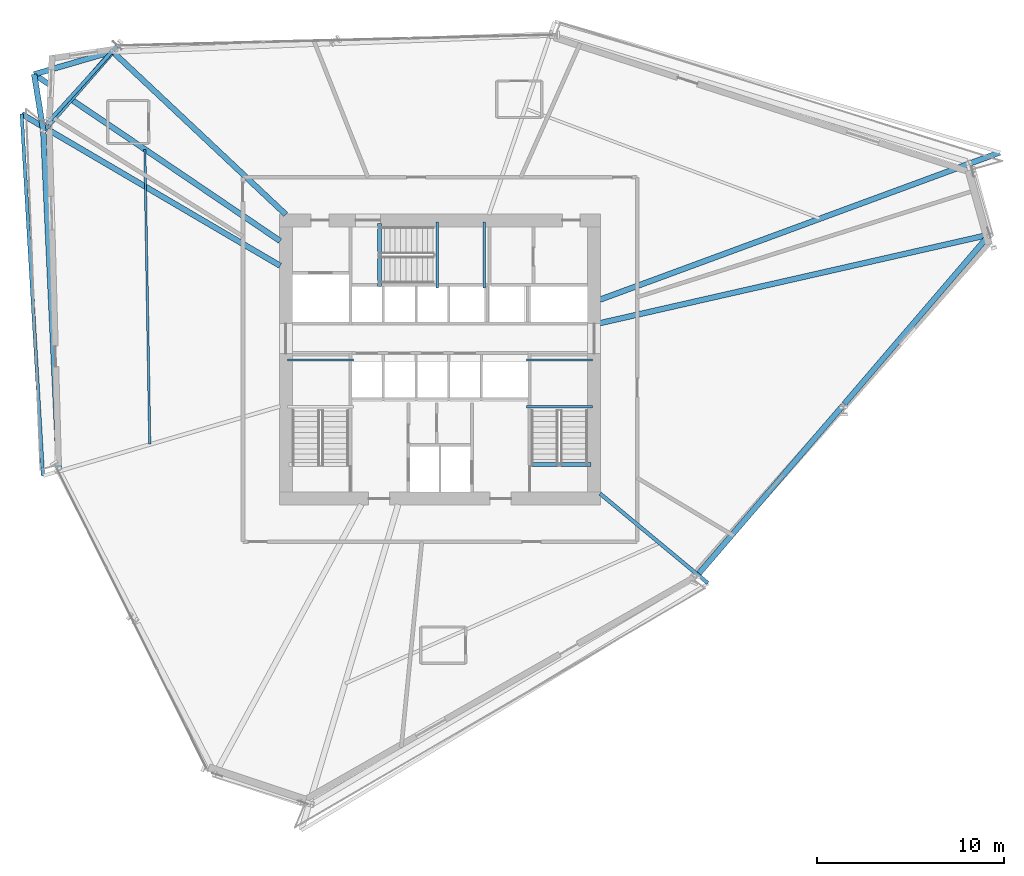
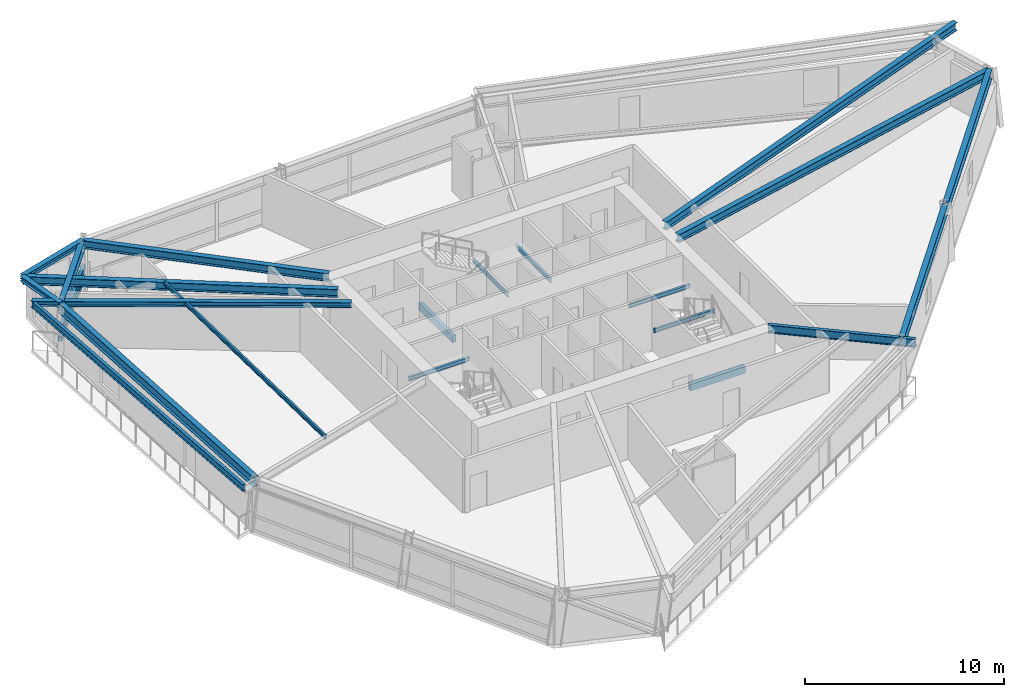
# One storey, part 5 of 20: 21 beams, 2 members.
"""IFC4 building model written with IfcOpenShell, lengths in metres."""

import ifcopenshell
import ifcopenshell.guid

model = None  # the IFC model being written
_history = None  # IfcOwnerHistory: only IFC2X3 demands one
_inside = {}  # id of a spatial element -> (the spatial element, [elements in it])
_under = {}  # id of a project, library or spatial element -> (it, [spatial elements below it])
_declared = {}  # id of a project -> (the project, [libraries it declares])
_typed = {}  # id of a type object -> (the type object, [elements of that type])
_made_of = {}  # id of a material, layer set ... -> (it, [elements and type objects made of it])


def new_model(schema):
    """Start an empty IFC model of exactly this schema.

    Asked for "IFC4X3", IfcOpenShell would pick the latest addendum, in which some entities
    have other attributes; the version numbers below select the first issue.
    IFC2X3 requires an IfcOwnerHistory on every rooted entity: one is made here for all.
    """
    global model, _history
    if schema == "IFC4X3":
        model = ifcopenshell.file(schema_version=(4, 3, 0, 0))
    else:
        model = ifcopenshell.file(schema=schema)
    _inside.clear()
    _under.clear()
    _declared.clear()
    _typed.clear()
    _made_of.clear()
    _history = None
    if model.schema == "IFC2X3":
        org = make("IfcOrganization", Name="unknown")
        user = make(
            "IfcPersonAndOrganization",
            ThePerson=make("IfcPerson", FamilyName="unknown"),
            TheOrganization=org,
        )
        app = make(
            "IfcApplication",
            ApplicationDeveloper=org,
            Version="unknown",
            ApplicationFullName="unknown",
            ApplicationIdentifier="unknown",
        )
        _history = make(
            "IfcOwnerHistory",
            OwningUser=user,
            OwningApplication=app,
            ChangeAction="ADDED",
            CreationDate=0,
        )
    return model


def make(cls, **values):
    """One entity of the class cls with the attributes given. An attribute that is None is left unset."""
    return model.create_entity(
        cls, **{name: value for name, value in values.items() if value is not None}
    )


def rooted(cls, **values):
    """An entity with a GlobalId (a new one), such as an element, a storey or a relation."""
    return make(cls, GlobalId=ifcopenshell.guid.new(), OwnerHistory=_history, **values)


def si_unit(unit_type, name, prefix=None):
    """IfcSIUnit, for example si_unit("LENGTHUNIT", "METRE", prefix="MILLI")."""
    return make("IfcSIUnit", UnitType=unit_type, Prefix=prefix, Name=name)


def assignment(units):
    """IfcUnitAssignment: the units of a project."""
    return None if units is None else make("IfcUnitAssignment", Units=units)


def point(xyz):
    """IfcCartesianPoint."""
    return None if xyz is None else make("IfcCartesianPoint", Coordinates=xyz)


def direction(xyz):
    """IfcDirection."""
    return None if xyz is None else make("IfcDirection", DirectionRatios=xyz)


def frame(location, z_axis=None, x_axis=None):
    """IfcAxis2Placement3D, a coordinate frame: its origin and axes. An axis left out is left unset."""
    return make(
        "IfcAxis2Placement3D",
        Location=point(location),
        Axis=direction(z_axis),
        RefDirection=direction(x_axis),
    )


def frame_2d(location, x_axis=None):
    """IfcAxis2Placement2D, a coordinate frame in the plane: its origin and x axis."""
    return make(
        "IfcAxis2Placement2D", Location=point(location), RefDirection=direction(x_axis)
    )


def origin():
    """The frame at (0, 0, 0) with its axes left unset."""
    return frame((0.0, 0.0, 0.0))


def origin_2d():
    """The frame at (0, 0) in the plane with its x axis left unset."""
    return frame_2d((0.0, 0.0))


def place(relative_to, where):
    """IfcLocalPlacement: puts the frame where relative to a parent placement (None: the world)."""
    return make(
        "IfcLocalPlacement", PlacementRelTo=relative_to, RelativePlacement=where
    )


def context(
    kind, dimensions, precision=None, world=None, true_north=None, identifier=None
):
    """IfcGeometricRepresentationContext, for example the 3D "Model" context."""
    return make(
        "IfcGeometricRepresentationContext",
        ContextIdentifier=identifier,
        ContextType=kind,
        CoordinateSpaceDimension=dimensions,
        Precision=precision,
        WorldCoordinateSystem=world,
        TrueNorth=true_north,
    )


def subcontext(parent, identifier, kind, view, scale=None):
    """IfcGeometricRepresentationSubContext, for example "Body" below "Model"."""
    return make(
        "IfcGeometricRepresentationSubContext",
        ContextIdentifier=identifier,
        ContextType=kind,
        ParentContext=parent,
        TargetScale=scale,
        TargetView=view,
    )


def project(units=None, contexts=None):
    """IfcProject with its units and contexts."""
    return rooted(
        "IfcProject",
        Name="project",
        RepresentationContexts=contexts,
        UnitsInContext=assignment(units),
    )


def spatial(cls, under=None, at=None, **own):
    """A site, building, storey or space (cls), placed at a placement, below another one or the project."""
    s = rooted(cls, ObjectPlacement=at, **own)
    if under is not None:
        _under.setdefault(under.id(), (under, []))[1].append(s)
    return s


def profile(cls, at=None, kind="AREA", **sizes):
    """A parametric profile (cls). Its sizes go by their IFC names, for example OverallWidth=200.0."""
    return make(cls, ProfileType=kind, Position=at, **sizes)


def rectangle(**sizes):
    """IfcRectangleProfileDef."""
    return profile("IfcRectangleProfileDef", **sizes)


def hollow_rectangle(**sizes):
    """IfcRectangleHollowProfileDef."""
    return profile("IfcRectangleHollowProfileDef", **sizes)


def i_section(**sizes):
    """IfcIShapeProfileDef."""
    return profile("IfcIShapeProfileDef", **sizes)


def extrude(swept, where, along, depth):
    """IfcExtrudedAreaSolid: the profile swept, set in the frame where, extruded along a direction by depth."""
    return make(
        "IfcExtrudedAreaSolid",
        SweptArea=swept,
        Position=where,
        ExtrudedDirection=direction(along),
        Depth=depth,
    )


def shape(context_of_items, identifier, shape_type, items):
    """IfcShapeRepresentation: the items that make up one representation, for example the "Body"."""
    return make(
        "IfcShapeRepresentation",
        ContextOfItems=context_of_items,
        RepresentationIdentifier=identifier,
        RepresentationType=shape_type,
        Items=items,
    )


def source(mapping_origin, context_of_items, identifier, shape_type, items):
    """IfcRepresentationMap: a shape defined once, which mapped items show again and again."""
    return make(
        "IfcRepresentationMap",
        MappingOrigin=mapping_origin,
        MappedRepresentation=shape(context_of_items, identifier, shape_type, items),
    )


def transform(
    local_origin,
    x_axis=None,
    y_axis=None,
    z_axis=None,
    scale=None,
    scale2=None,
    scale3=None,
    uniform=True,
):
    """IfcCartesianTransformationOperator3D, or its non-uniform kind. x_axis, y_axis, z_axis: its Axis1, 2, 3."""
    if uniform:
        return make(
            "IfcCartesianTransformationOperator3D",
            Axis1=direction(x_axis),
            Axis2=direction(y_axis),
            LocalOrigin=point(local_origin),
            Scale=scale,
            Axis3=direction(z_axis),
        )
    return make(
        "IfcCartesianTransformationOperator3DnonUniform",
        Axis1=direction(x_axis),
        Axis2=direction(y_axis),
        LocalOrigin=point(local_origin),
        Scale=scale,
        Axis3=direction(z_axis),
        Scale2=scale2,
        Scale3=scale3,
    )


def mapped(mapping_source, mapping_target):
    """IfcMappedItem: shows the shape of a source again, moved by a transform."""
    return make(
        "IfcMappedItem", MappingSource=mapping_source, MappingTarget=mapping_target
    )


def material(Name=None, Category=None):
    """IfcMaterial."""
    return make("IfcMaterial", Name=Name, Category=Category)


def material_profile(
    of_material, cross_section, Name=None, Category=None, Priority=None
):
    """IfcMaterialProfile: a cross section and its material."""
    return make(
        "IfcMaterialProfile",
        Name=Name,
        Material=of_material,
        Profile=cross_section,
        Priority=Priority,
        Category=Category,
    )


def profile_set(profiles, Name=None, composite=None):
    """IfcMaterialProfileSet."""
    return make(
        "IfcMaterialProfileSet",
        Name=Name,
        MaterialProfiles=profiles,
        CompositeProfile=composite,
    )


def made_of(thing, what):
    """Note that an element or type object is made of a material, layer set ...; save() writes the relation."""
    if what is not None:
        _made_of.setdefault(what.id(), (what, []))[1].append(thing)
    return thing


def type_object(cls, material=None, **own):
    """A type object (cls), such as IfcWallType, which elements share."""
    return made_of(rooted(cls, **own), material)


def element(
    cls,
    number,
    at=None,
    inside=None,
    cuts=None,
    type_object=None,
    material=None,
    context=None,
    identifier="Body",
    shape_type=None,
    held_by="IfcProductDefinitionShape",
    body=None,
    shapes=None,
    **own,
):
    """One element of the class cls, such as IfcWall. Its Tag is "e" and its number.

    at: its placement. inside: the storey or other place that contains it. cuts: it is an
    opening in that element (IfcRelVoidsElement). A single representation is given by context,
    identifier, shape_type and body (its items); several are given by shapes. held_by: the class
    of the entity that holds the representations. save() writes the other relations.
    """
    e = rooted(cls, Tag="e%d" % number, ObjectPlacement=at, **own)
    if body is not None:
        shapes = [shape(context, identifier, shape_type, body)]
    if shapes is not None:
        e.Representation = make(held_by, Representations=shapes)
    if inside is not None:
        _inside.setdefault(inside.id(), (inside, []))[1].append(e)
    if cuts is not None:
        rooted(
            "IfcRelVoidsElement", RelatingBuildingElement=cuts, RelatedOpeningElement=e
        )
    if type_object is not None:
        _typed.setdefault(type_object.id(), (type_object, []))[1].append(e)
    return made_of(e, material)


def aggregate(whole, parts):
    """IfcRelAggregates: a whole, such as a stair, and the parts it consists of."""
    return rooted("IfcRelAggregates", RelatingObject=whole, RelatedObjects=parts)


def save(model, path):
    """Write the relations noted so far, then the file.

    IfcRelAggregates (storeys below a building ...), IfcRelContainedInSpatialStructure (elements
    in a storey), IfcRelDefinesByType, IfcRelAssociatesMaterial and IfcRelDeclares: one each for
    every whole, place, type object, material and project.
    """
    for whole, parts in _under.values():
        aggregate(whole, parts)
    for where, things in _inside.values():
        rooted(
            "IfcRelContainedInSpatialStructure",
            RelatedElements=things,
            RelatingStructure=where,
        )
    for kind, things in _typed.values():
        rooted("IfcRelDefinesByType", RelatedObjects=things, RelatingType=kind)
    for what, things in _made_of.values():
        rooted("IfcRelAssociatesMaterial", RelatedObjects=things, RelatingMaterial=what)
    for by, libraries in _declared.values():
        rooted("IfcRelDeclares", RelatingContext=by, RelatedDefinitions=libraries)
    model.write(path)


model = new_model("IFC4")

# Units and contexts
model_context = context("Model", 3, precision=1e-05, world=origin(), true_north=direction((0.0, 1.0)))
body_context = subcontext(model_context, "Body", "Model", "MODEL_VIEW")
ifc_project = project(units=[si_unit("LENGTHUNIT", "METRE"), si_unit("AREAUNIT", "SQUARE_METRE"), si_unit("VOLUMEUNIT", "CUBIC_METRE"), si_unit("PLANEANGLEUNIT", "RADIAN"), si_unit("MASSUNIT", "GRAM", prefix="KILO")], contexts=[model_context])

# Site, building, storey
site_placement = place(None, origin())
site = spatial("IfcSite", under=ifc_project, at=site_placement, CompositionType="ELEMENT")
building_placement = place(site_placement, origin())
building = spatial("IfcBuilding", under=site, at=building_placement, Name="Olszyna Solenne Hotel", CompositionType="ELEMENT")
storey_placement = place(building_placement, frame((0.0, 0.0, 98.60009765625)))
storey = spatial("IfcBuildingStorey", under=building, at=storey_placement, Name="L25", CompositionType="ELEMENT", Elevation=98.60009765625)

# Beams
ifc_material_1 = material(Name="Steel S355J2", Category="steel")
ifc_material_profile_1 = material_profile(ifc_material_1, i_section(OverallWidth=0.300048828125, OverallDepth=0.60009765625, WebThickness=0.015380859375, FlangeThickness=0.030029296875, at=origin_2d()), Name="HEB 600", Category="load-bearing")
ifc_profile_set_1 = profile_set([ifc_material_profile_1], Name="Steel S355J2")
beam_type_1 = type_object("IfcBeamType", Name="BM-S2", PredefinedType="BEAM", material=ifc_profile_set_1)
shared_shape_1 = source(origin(), body_context, "Body", "SweptSolid", [
    extrude(i_section(OverallWidth=0.300048828125, OverallDepth=0.60009765625, WebThickness=0.015380859375, FlangeThickness=0.030029296875, at=origin_2d()), origin(), (0.0, 0.0, 1.0), 5.502685546875),
])
beam_1_placement = place(storey_placement, frame((20.427978515625, 43.038818359375, 3.0), z_axis=(-0.658630240159, -0.752466747935, 0.0), x_axis=(0.752466747935, -0.658630240159, 0.0)))
element("IfcBeam", 1, at=beam_1_placement, inside=storey, type_object=beam_type_1, Name="Perimeter spandrel beam BM-S2 B-L25-0754", PredefinedType="BEAM", context=body_context, shape_type="MappedRepresentation", body=[
    mapped(shared_shape_1, transform((0.0, 0.0, 0.0), x_axis=(1.0, 0.0, 0.0), y_axis=(0.0, 1.0, 0.0), z_axis=(0.0, 0.0, 1.0), scale=1.0)),
])
shared_shape_2 = source(origin(), body_context, "Body", "SweptSolid", [
    extrude(i_section(OverallWidth=0.300048828125, OverallDepth=0.60009765625, WebThickness=0.015380859375, FlangeThickness=0.030029296875, at=origin_2d()), origin(), (0.0, 0.0, 1.0), 18.123046875),
])
beam_2_placement = place(storey_placement, frame((16.766845703125, 38.793212890625, 3.0), z_axis=(0.045950279908, -0.998943728033, 0.0), x_axis=(0.998943728033, 0.045950279908, 0.0)))
element("IfcBeam", 2, at=beam_2_placement, inside=storey, type_object=beam_type_1, Name="Perimeter spandrel beam BM-S2 B-L25-0755", PredefinedType="BEAM", context=body_context, shape_type="MappedRepresentation", body=[
    mapped(shared_shape_2, transform((0.0, 0.0, 0.0), x_axis=(1.0, 0.0, 0.0), y_axis=(0.0, 1.0, 0.0), z_axis=(0.0, 0.0, 1.0), scale=1.0)),
])
shared_shape_3 = source(origin(), body_context, "Body", "SweptSolid", [
    extrude(i_section(OverallWidth=0.300048828125, OverallDepth=0.60009765625, WebThickness=0.015380859375, FlangeThickness=0.030029296875, at=origin_2d()), origin(), (0.0, 0.0, 1.0), 11.88916015625),
])
for number, where, z_axis, x_axis, name in (
    (3, (51.812255859375, 15.101806640625, 3.0), (0.651112622029, 0.75898112851, 0.0), (-0.75898112851, 0.651112622029, 0.0), "Perimeter spandrel beam BM-S2 B-L25-0760"),
    (4, (59.631591796875, 24.216552734375, 3.0), (0.651112622029, 0.75898112851, 0.0), (-0.75898112851, 0.651112622029, 0.0), "Perimeter spandrel beam BM-S2 B-L25-0761"),
):
    element("IfcBeam", number, at=place(storey_placement, frame(where, z_axis=z_axis, x_axis=x_axis)), inside=storey, type_object=beam_type_1, Name=name, PredefinedType="BEAM", context=body_context, shape_type="MappedRepresentation", body=[
        mapped(shared_shape_3, transform((0.0, 0.0, 0.0), x_axis=(1.0, 0.0, 0.0), y_axis=(0.0, 1.0, 0.0), z_axis=(0.0, 0.0, 1.0), scale=1.0)),
    ])
ifc_material_profile_2 = material_profile(ifc_material_1, i_section(OverallWidth=0.300048828125, OverallDepth=0.489990234375, WebThickness=0.011962890625, FlangeThickness=0.02294921875, at=origin_2d()), Name="HEA 500", Category="load-bearing")
ifc_profile_set_2 = profile_set([ifc_material_profile_2], Name="Steel S355J2")
beam_type_2 = type_object("IfcBeamType", Name="BM-G1", PredefinedType="BEAM", material=ifc_profile_set_2)
shared_shape_4 = source(origin(), body_context, "Body", "SweptSolid", [
    extrude(i_section(OverallWidth=0.300048828125, OverallDepth=0.489990234375, WebThickness=0.011962890625, FlangeThickness=0.02294921875, at=origin_2d()), origin(), (0.0, 0.0, 1.0), 21.332763671875),
])
beam_3_placement = place(storey_placement, frame((67.353271484375, 33.2724609375, 3.054931640625), z_axis=(-0.975122399582, -0.221667105892, 0.0), x_axis=(0.221667105892, -0.975122399582, 0.0)))
element("IfcBeam", 5, at=beam_3_placement, inside=storey, type_object=beam_type_2, Name="Radial floor girder BM-G1 B-L25-0762", PredefinedType="BEAM", context=body_context, shape_type="MappedRepresentation", body=[
    mapped(shared_shape_4, transform((0.0, 0.0, 0.0), x_axis=(1.0, 0.0, 0.0), y_axis=(0.0, 1.0, 0.0), z_axis=(0.0, 0.0, 1.0), scale=1.0)),
])
shared_shape_5 = source(origin(), body_context, "Body", "SweptSolid", [
    extrude(i_section(OverallWidth=0.300048828125, OverallDepth=0.489990234375, WebThickness=0.011962890625, FlangeThickness=0.02294921875, at=origin_2d()), origin(), (0.0, 0.0, 1.0), 22.808837890625),
])
beam_4_placement = place(storey_placement, frame((67.95751953125, 37.68115234375, 3.054931640625), z_axis=(-0.938416742355, -0.345505452442, 0.0), x_axis=(0.345505452442, -0.938416742355, 0.0)))
element("IfcBeam", 6, at=beam_4_placement, inside=storey, type_object=beam_type_2, Name="Radial floor girder BM-G1 B-L25-0763", PredefinedType="BEAM", context=body_context, shape_type="MappedRepresentation", body=[
    mapped(shared_shape_5, transform((0.0, 0.0, 0.0), x_axis=(1.0, 0.0, 0.0), y_axis=(0.0, 1.0, 0.0), z_axis=(0.0, 0.0, 1.0), scale=1.0)),
])
shared_shape_6 = source(origin(), body_context, "Body", "SweptSolid", [
    extrude(i_section(OverallWidth=0.300048828125, OverallDepth=0.489990234375, WebThickness=0.011962890625, FlangeThickness=0.02294921875, at=origin_2d()), origin(), (0.0, 0.0, 1.0), 12.66748046875),
])
beam_5_placement = place(storey_placement, frame((20.510986328125, 43.042724609375, 3.054931640625), z_axis=(0.728559184397, -0.684982857326, 0.0), x_axis=(0.684982857326, 0.728559184397, 0.0)))
element("IfcBeam", 7, at=beam_5_placement, inside=storey, type_object=beam_type_2, Name="Radial floor girder BM-G1 B-L25-0765", PredefinedType="BEAM", context=body_context, shape_type="MappedRepresentation", body=[
    mapped(shared_shape_6, transform((0.0, 0.0, 0.0), x_axis=(1.0, 0.0, 0.0), y_axis=(0.0, 1.0, 0.0), z_axis=(0.0, 0.0, 1.0), scale=1.0)),
])
shared_shape_7 = source(origin(), body_context, "Body", "SweptSolid", [
    extrude(i_section(OverallWidth=0.300048828125, OverallDepth=0.489990234375, WebThickness=0.011962890625, FlangeThickness=0.02294921875, at=origin_2d()), origin(), (0.0, 0.0, 1.0), 15.880615234375),
])
beam_6_placement = place(storey_placement, frame((16.293701171875, 41.853515625, 3.054931640625), z_axis=(0.827830715974, -0.560977990379, 0.0), x_axis=(0.560977990379, 0.827830715974, 0.0)))
element("IfcBeam", 8, at=beam_6_placement, inside=storey, type_object=beam_type_2, Name="Radial floor girder BM-G1 B-L25-0766", PredefinedType="BEAM", context=body_context, shape_type="MappedRepresentation", body=[
    mapped(shared_shape_7, transform((0.0, 0.0, 0.0), x_axis=(1.0, 0.0, 0.0), y_axis=(0.0, 1.0, 0.0), z_axis=(0.0, 0.0, 1.0), scale=1.0)),
])
ifc_material_profile_3 = material_profile(ifc_material_1, i_section(OverallWidth=0.199951171875, OverallDepth=0.5, WebThickness=0.01025390625, FlangeThickness=0.01611328125, at=origin_2d()), Name="IPE 500", Category="load-bearing")
ifc_profile_set_3 = profile_set([ifc_material_profile_3], Name="Steel S355J2")
beam_type_3 = type_object("IfcBeamType", Name="BM-F3", PredefinedType="BEAM", material=ifc_profile_set_3)
shared_shape_8 = source(origin(), body_context, "Body", "SweptSolid", [
    extrude(i_section(OverallWidth=0.199951171875, OverallDepth=0.5, WebThickness=0.01025390625, FlangeThickness=0.01611328125, at=origin_2d()), origin(), (0.0, 0.0, 1.0), 7.5048828125),
])
beam_7_placement = place(storey_placement, frame((52.335693359375, 14.6298828125, 3.0498046875), z_axis=(-0.769345326789, 0.638833130126, 0.0), x_axis=(-0.638833130126, -0.769345326789, 0.0)))
element("IfcBeam", 9, at=beam_7_placement, inside=storey, type_object=beam_type_3, Name="Radial floor girder BM-F3 B-L25-0770", PredefinedType="BEAM", context=body_context, shape_type="MappedRepresentation", body=[
    mapped(shared_shape_8, transform((0.0, 0.0, 0.0), x_axis=(1.0, 0.0, 0.0), y_axis=(0.0, 1.0, 0.0), z_axis=(0.0, 0.0, 1.0), scale=1.0)),
])
ifc_material_profile_4 = material_profile(ifc_material_1, i_section(OverallWidth=0.300048828125, OverallDepth=0.31005859375, WebThickness=0.009033203125, FlangeThickness=0.015380859375, at=origin_2d()), Name="HEA 320", Category="load-bearing")
ifc_profile_set_4 = profile_set([ifc_material_profile_4], Name="Steel S355J2")
beam_type_4 = type_object("IfcBeamType", Name="BM-G3", PredefinedType="BEAM", material=ifc_profile_set_4)
shared_shape_9 = source(origin(), body_context, "Body", "SweptSolid", [
    extrude(i_section(OverallWidth=0.300048828125, OverallDepth=0.31005859375, WebThickness=0.009033203125, FlangeThickness=0.015380859375, at=origin_2d()), origin(), (0.0, 0.0, 1.0), 4.364013671875),
])
beam_8_placement = place(storey_placement, frame((20.46728515625, 43.083740234375, 3.14501953125), z_axis=(-0.960178380148, -0.279387684581, 0.0), x_axis=(0.279387684581, -0.960178380148, 0.0)))
element("IfcBeam", 10, at=beam_8_placement, inside=storey, type_object=beam_type_4, Name="Prism side edge beam BM-G3 B-L25-0771", PredefinedType="BEAM", context=body_context, shape_type="MappedRepresentation", body=[
    mapped(shared_shape_9, transform((0.0, 0.0, 0.0), x_axis=(1.0, 0.0, 0.0), y_axis=(0.0, 1.0, 0.0), z_axis=(0.0, 0.0, 1.0), scale=1.0)),
])
shared_shape_10 = source(origin(), body_context, "Body", "SweptSolid", [
    extrude(i_section(OverallWidth=0.300048828125, OverallDepth=0.31005859375, WebThickness=0.009033203125, FlangeThickness=0.015380859375, at=origin_2d()), origin(), (0.0, 0.0, 1.0), 3.050537109375),
])
beam_9_placement = place(storey_placement, frame((16.76416015625, 38.85302734375, 3.14501953125), z_axis=(-0.159660171291, 0.987172036528, 0.0), x_axis=(-0.987172036528, -0.159660171291, 0.0)))
element("IfcBeam", 11, at=beam_9_placement, inside=storey, type_object=beam_type_4, Name="Prism side edge beam BM-G3 B-L25-0772", PredefinedType="BEAM", context=body_context, shape_type="MappedRepresentation", body=[
    mapped(shared_shape_10, transform((0.0, 0.0, 0.0), x_axis=(1.0, 0.0, 0.0), y_axis=(0.0, 1.0, 0.0), z_axis=(0.0, 0.0, 1.0), scale=1.0)),
])
shared_shape_11 = source(origin(), body_context, "Body", "SweptSolid", [
    extrude(i_section(OverallWidth=0.300048828125, OverallDepth=0.31005859375, WebThickness=0.009033203125, FlangeThickness=0.015380859375, at=origin_2d()), origin(), (0.0, 0.0, 1.0), 16.038330078125),
])
beam_10_placement = place(storey_placement, frame((15.608154296875, 39.7314453125, 3.14501953125), z_axis=(0.862612767309, -0.50586481759, 0.0), x_axis=(0.50586481759, 0.862612767309, 0.0)))
element("IfcBeam", 12, at=beam_10_placement, inside=storey, type_object=beam_type_4, Name="Loggia/prism radial back-span girder BM-G3 B-L25-0773", PredefinedType="BEAM", context=body_context, shape_type="MappedRepresentation", body=[
    mapped(shared_shape_11, transform((0.0, 0.0, 0.0), x_axis=(1.0, 0.0, 0.0), y_axis=(0.0, 1.0, 0.0), z_axis=(0.0, 0.0, 1.0), scale=1.0)),
])
ifc_material_profile_5 = material_profile(ifc_material_1, i_section(OverallWidth=0.1201171875, OverallDepth=0.239990234375, WebThickness=0.006103515625, FlangeThickness=0.009765625, at=origin_2d()), Name="IPE 240", Category="load-bearing")
ifc_profile_set_5 = profile_set([ifc_material_profile_5], Name="Steel S355J2")
beam_type_5 = type_object("IfcBeamType", Name="JS-03", PredefinedType="JOIST", material=ifc_profile_set_5)
shared_shape_12 = source(origin(), body_context, "Body", "SweptSolid", [
    extrude(i_section(OverallWidth=0.1201171875, OverallDepth=0.239990234375, WebThickness=0.006103515625, FlangeThickness=0.009765625, at=origin_2d()), origin(), (0.0, 0.0, 1.0), 15.763427734375),
])
beam_11_placement = place(storey_placement, frame((22.20068359375, 37.830810546875, 3.179931640625), z_axis=(0.01666486845, -0.999861131438, 0.0), x_axis=(0.999861131438, 0.01666486845, 0.0)))
element("IfcBeam", 13, at=beam_11_placement, inside=storey, type_object=beam_type_5, Name="Secondary composite floor joist JS-03 B-L25-0775", PredefinedType="JOIST", context=body_context, shape_type="MappedRepresentation", body=[
    mapped(shared_shape_12, transform((0.0, 0.0, 0.0), x_axis=(1.0, 0.0, 0.0), y_axis=(0.0, 1.0, 0.0), z_axis=(0.0, 0.0, 1.0), scale=1.0)),
])
ifc_material_profile_6 = material_profile(ifc_material_1, i_section(OverallWidth=0.179931640625, OverallDepth=0.39990234375, WebThickness=0.008544921875, FlangeThickness=0.013427734375, at=origin_2d()), Name="IPE 400", Category="load-bearing")
ifc_profile_set_6 = profile_set([ifc_material_profile_6], Name="Steel S355J2")
beam_type_6 = type_object("IfcBeamType", Name="BM-F5", PredefinedType="BEAM", material=ifc_profile_set_6)
shared_shape_13 = source(origin(), body_context, "Body", "SweptSolid", [
    extrude(i_section(OverallWidth=0.179931640625, OverallDepth=0.39990234375, WebThickness=0.008544921875, FlangeThickness=0.013427734375, at=origin_2d()), origin(), (0.0, 0.0, 1.0), 19.390625),
])
beam_12_placement = place(storey_placement, frame((15.608154296875, 39.7314453125, 3.099853515625), z_axis=(0.058836423431, -0.998267637098, 0.0), x_axis=(0.998267637098, 0.058836423431, 0.0)))
element("IfcBeam", 14, at=beam_12_placement, inside=storey, type_object=beam_type_6, Name="Loggia outer edge beam BM-F5 B-L25-0778", PredefinedType="BEAM", context=body_context, shape_type="MappedRepresentation", body=[
    mapped(shared_shape_13, transform((0.0, 0.0, 0.0), x_axis=(1.0, 0.0, 0.0), y_axis=(0.0, 1.0, 0.0), z_axis=(0.0, 0.0, 1.0), scale=1.0)),
])

# Members
ifc_material_profile_7 = material_profile(ifc_material_1, hollow_rectangle(XDim=0.199951171875, YDim=0.300048828125, WallThickness=0.01611328125, at=origin_2d()), Name="RHS 300x200x16", Category="load-bearing")
ifc_profile_set_7 = profile_set([ifc_material_profile_7], Name="Steel S355J2")
member_type = type_object("IfcMemberType", Name="CH-PR1", PredefinedType="CHORD", material=ifc_profile_set_7)
shared_shape_14 = source(origin(), body_context, "Body", "SweptSolid", [
    extrude(hollow_rectangle(XDim=0.199951171875, YDim=0.300048828125, WallThickness=0.01611328125, at=origin_2d()), origin(), (0.0, 0.0, 1.0), 5.67578125),
])
for number, where, z_axis, x_axis, name in (
    (15, (20.719482421875, 43.39453125, 1.349853515625), (-0.670413095752, -0.741988059907, 0.0), (0.741988059907, -0.670413095752, 0.0), "Glass-prism tie chord CH-PR1 M-L25-PR1"),
    (16, (20.719482421875, 43.39453125, 0.77978515625), (-0.670413095752, -0.741988059907, 0.0), (0.741988059907, -0.670413095752, 0.0), "Glass-prism tie chord CH-PR1 M-L25-PR2"),
):
    element("IfcMember", number, at=place(storey_placement, frame(where, z_axis=z_axis, x_axis=x_axis)), inside=storey, type_object=member_type, Name=name, PredefinedType="CHORD", context=body_context, shape_type="MappedRepresentation", body=[
        mapped(shared_shape_14, transform((0.0, 0.0, 0.0), x_axis=(1.0, 0.0, 0.0), y_axis=(0.0, 1.0, 0.0), z_axis=(0.0, 0.0, 1.0), scale=1.0)),
    ])

# Beams
shared_shape_15 = source(origin(), body_context, "Body", "SweptSolid", [
    extrude(i_section(OverallWidth=0.1201171875, OverallDepth=0.239990234375, WebThickness=0.006103515625, FlangeThickness=0.009765625, at=origin_2d()), origin(), (0.0, 0.0, 1.0), 3.539794921875),
])
for number, where, z_axis, x_axis, name in (
    (17, (33.3798828125, 26.580078125, 1.449951171875), (-1.0, 0.0, 0.0), (0.0, -1.0, 0.0), "Stair landing support beam JS-03 SLB-ST1-0056"),
    (18, (46.159912109375, 24.070068359375, 1.449951171875), (-1.0, 0.0, 0.0), (0.0, -1.0, 0.0), "Stair landing support beam JS-03 SLB-ST2-0295"),
    (19, (46.159912109375, 26.580078125, 1.449951171875), (-1.0, 0.0, 0.0), (0.0, -1.0, 0.0), "Stair landing support beam JS-03 SLB-ST2-0296"),
):
    element("IfcBeam", number, at=place(storey_placement, frame(where, z_axis=z_axis, x_axis=x_axis)), inside=storey, type_object=beam_type_5, Name=name, PredefinedType="JOIST", context=body_context, shape_type="MappedRepresentation", body=[
        mapped(shared_shape_15, transform((0.0, 0.0, 0.0), x_axis=(1.0, 0.0, 0.0), y_axis=(0.0, 1.0, 0.0), z_axis=(0.0, 0.0, 1.0), scale=1.0)),
    ])
ifc_material_2 = material(Name="Concrete C50/60", Category="concrete")
ifc_material_profile_8 = material_profile(ifc_material_2, rectangle(XDim=0.219970703125, YDim=0.43994140625, at=origin_2d()), Name="RC 220x440", Category="load-bearing")
ifc_profile_set_8 = profile_set([ifc_material_profile_8], Name="Concrete C50/60")
beam_type_7 = type_object("IfcBeamType", Name="BM-ST1", PredefinedType="BEAM", material=ifc_profile_set_8)
shared_shape_16 = source(origin(), body_context, "Body", "SweptSolid", [
    extrude(rectangle(XDim=0.219970703125, YDim=0.43994140625, at=origin_2d()), origin(), (0.0, 0.0, 1.0), 3.18017578125),
])
beam_13_placement = place(storey_placement, frame((46.080078125, 20.97998046875, -0.205078125), z_axis=(-1.0, 0.0, 0.0), x_axis=(0.0, -1.0, 0.0)))
element("IfcBeam", 20, at=beam_13_placement, inside=storey, type_object=beam_type_7, Name="Concrete stair trimmer beam BM-ST1 SHB-ST2-0427", PredefinedType="BEAM", context=body_context, shape_type="MappedRepresentation", body=[
    mapped(shared_shape_16, transform((0.0, 0.0, 0.0), x_axis=(1.0, 0.0, 0.0), y_axis=(0.0, 1.0, 0.0), z_axis=(0.0, 0.0, 1.0), scale=1.0)),
])
shared_shape_17 = source(origin(), body_context, "Body", "SweptSolid", [
    extrude(i_section(OverallWidth=0.1201171875, OverallDepth=0.239990234375, WebThickness=0.006103515625, FlangeThickness=0.009765625, at=origin_2d()), origin(), (0.0, 0.0, 1.0), 3.5400390625),
])
for number, where, z_axis, x_axis, name in (
    (21, (37.85009765625, 30.419921875, 1.449951171875), (0.0, 1.0, 0.0), (-1.0, 0.0, 0.0), "Stair landing support beam JS-03 SLB-ST3-0535"),
    (22, (40.360107421875, 30.419921875, 1.449951171875), (0.0, 1.0, 0.0), (-1.0, 0.0, 0.0), "Stair landing support beam JS-03 SLB-ST3-0536"),
):
    element("IfcBeam", number, at=place(storey_placement, frame(where, z_axis=z_axis, x_axis=x_axis)), inside=storey, type_object=beam_type_5, Name=name, PredefinedType="JOIST", context=body_context, shape_type="MappedRepresentation", body=[
        mapped(shared_shape_17, transform((0.0, 0.0, 0.0), x_axis=(1.0, 0.0, 0.0), y_axis=(0.0, 1.0, 0.0), z_axis=(0.0, 0.0, 1.0), scale=1.0)),
    ])
shared_shape_18 = source(origin(), body_context, "Body", "SweptSolid", [
    extrude(rectangle(XDim=0.219970703125, YDim=0.43994140625, at=origin_2d()), origin(), (0.0, 0.0, 1.0), 3.3798828125),
])
beam_14_placement = place(storey_placement, frame((34.760009765625, 30.5, -0.205078125), z_axis=(0.0, 1.0, 0.0), x_axis=(-1.0, 0.0, 0.0)))
element("IfcBeam", 23, at=beam_14_placement, inside=storey, type_object=beam_type_7, Name="Concrete stair trimmer beam BM-ST1 SHB-ST3-0665", PredefinedType="BEAM", context=body_context, shape_type="MappedRepresentation", body=[
    mapped(shared_shape_18, transform((0.0, 0.0, 0.0), x_axis=(1.0, 0.0, 0.0), y_axis=(0.0, 1.0, 0.0), z_axis=(0.0, 0.0, 1.0), scale=1.0)),
])

save(model, "model.ifc")
